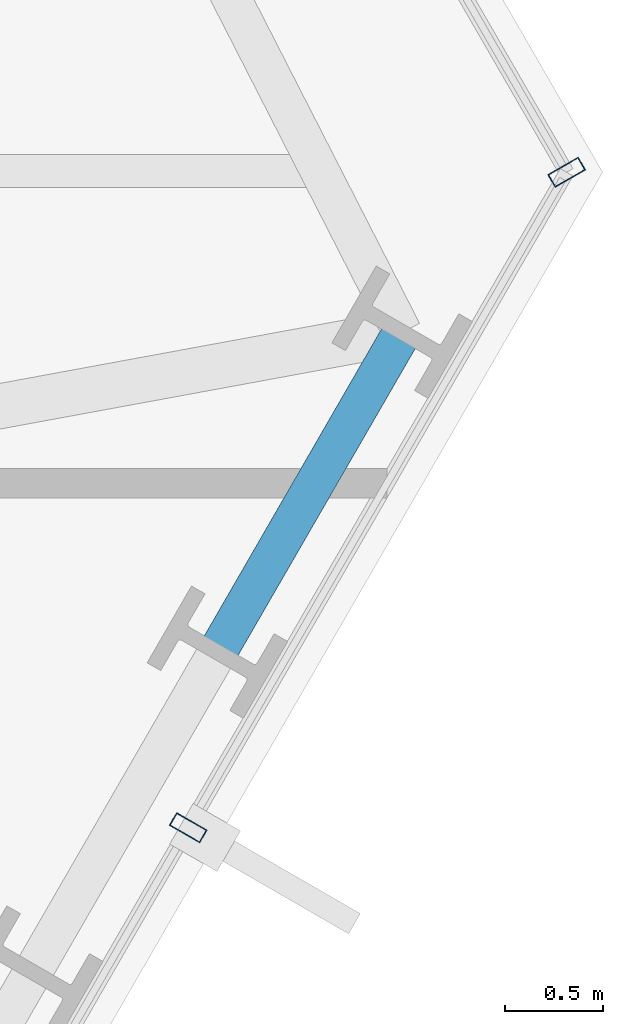
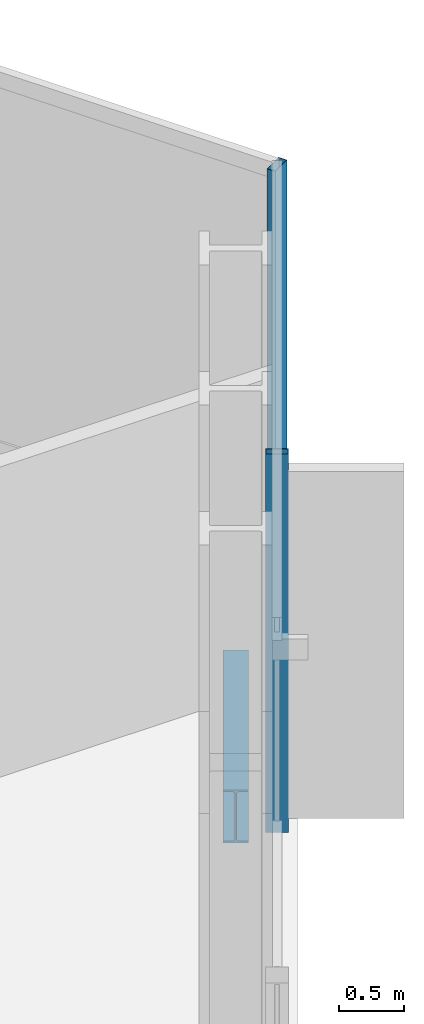
# One storey, part 17 of 32: 2 members, 1 beam, 2 elements without a shape of their own.
"""IFC4 building model written with IfcOpenShell, lengths in metres."""

from ifc_helpers import new_model, si_unit, direction, frame, origin, origin_2d, place, context, subcontext, project, spatial, hollow_rectangle, i_section, extrude, material, layer, layer_set, material_profile, profile_set, type_object, element, aggregate, save


model = new_model("IFC4")

# Units and contexts
model_context = context("Model", 3, precision=1e-05, world=origin(), true_north=direction((0.0, 1.0)))
body_context = subcontext(model_context, "Body", "Model", "MODEL_VIEW")
ifc_project = project(units=[si_unit("LENGTHUNIT", "METRE"), si_unit("AREAUNIT", "SQUARE_METRE"), si_unit("VOLUMEUNIT", "CUBIC_METRE"), si_unit("PLANEANGLEUNIT", "RADIAN"), si_unit("MASSUNIT", "GRAM", prefix="KILO")], contexts=[model_context])

# Site, building, storey
site_placement = place(None, origin())
site = spatial("IfcSite", under=ifc_project, at=site_placement, CompositionType="ELEMENT")
building_placement = place(site_placement, origin())
building = spatial("IfcBuilding", under=site, at=building_placement, Name="Ndaravel Arena Tower", CompositionType="ELEMENT")
storey_placement = place(building_placement, frame((0.0, 0.0, 62.60009765625)))
storey = spatial("IfcBuildingStorey", under=building, at=storey_placement, Name="L13", CompositionType="ELEMENT", Elevation=62.60009765625)

# Beam
ifc_material_1 = material(Name="Steel S355", Category="steel")
ifc_material_profile_1 = material_profile(ifc_material_1, i_section(OverallWidth=0.199951171875, OverallDepth=0.5, WebThickness=0.01025390625, FlangeThickness=0.01611328125, FilletRadius=0.02099609375, at=origin_2d()), Name="IPE 500")
ifc_profile_set_1 = profile_set([ifc_material_profile_1], Name="Steel S355")
beam_type = type_object("IfcBeamType", Name="BM-SPAN-IPE500", PredefinedType="SPANDREL", material=ifc_profile_set_1)
beam_placement = place(storey_placement, frame((63.701904296875, 16.135009765625, -0.47021484375), z_axis=(0.50000898992, 0.86602021339, 0.0), x_axis=(-0.86602021339, 0.50000898992, 0.0)))
element("IfcBeam", 1, at=beam_placement, inside=storey, type_object=beam_type, Name="L13 Perimeter Spandrel Beam SP-08", PredefinedType="SPANDREL", context=body_context, shape_type="SweptSolid", body=[
    extrude(i_section(OverallWidth=0.199951171875, OverallDepth=0.5, WebThickness=0.01025390625, FlangeThickness=0.01611328125, FilletRadius=0.02099609375, at=origin_2d()), origin(), (0.0, 0.0, 1.0), 1.89306640625),
])

# Curtain wall, member
ifc_material_2 = material(Name="Aluminium", Category="aluminium")
ifc_layer_1 = layer(ifc_material_2, 0.179931640625)
ifc_layer_set_1 = layer_set([ifc_layer_1], Name="Aluminium")
curtain_wall_type_1 = type_object("IfcCurtainWallType", Name="CW-SYS-01", PredefinedType="NOTDEFINED", material=ifc_layer_set_1)
curtain_wall_1_placement = place(storey_placement, origin())
curtain_wall_1 = element("IfcCurtainWall", 2, at=curtain_wall_1_placement, inside=storey, type_object=curtain_wall_type_1, Name="L13 Faceted Crystal Curtain Wall CW-L13-E02", PredefinedType="NOTDEFINED")
ifc_material_3 = material(Name="Aluminium", Category="aluminium")
ifc_material_profile_2 = material_profile(ifc_material_3, hollow_rectangle(XDim=0.074951171875, YDim=0.179931640625, WallThickness=0.00390625, at=origin_2d()), Name="CW MULLION 75x180x4")
ifc_profile_set_2 = profile_set([ifc_material_profile_2], Name="Aluminium")
member_type = type_object("IfcMemberType", Name="MEM-CW-MUL180", PredefinedType="MULLION", material=ifc_profile_set_2)
member_1_placement = place(storey_placement, frame((63.552001953125, 15.2353515625, 0.0), z_axis=(0.0, 0.0, 1.0), x_axis=(0.5, 0.866025403784, 0.0)))
member_1 = element("IfcMember", 3, at=member_1_placement, type_object=member_type, Name="CW-L13-E02 Mullion 03", PredefinedType="MULLION", context=body_context, shape_type="SweptSolid", body=[
    extrude(hollow_rectangle(XDim=0.074951171875, YDim=0.179931640625, WallThickness=0.00390625, at=origin_2d()), origin(), (0.0, 0.0, 1.0), 3.579833984375),
])
aggregate(curtain_wall_1, [member_1])

ifc_material_4 = material(Name="Aluminium", Category="aluminium")
ifc_layer_2 = layer(ifc_material_4, 0.179931640625)
ifc_layer_set_2 = layer_set([ifc_layer_2], Name="Aluminium")
curtain_wall_type_2 = type_object("IfcCurtainWallType", Name="CW-SYS-03", PredefinedType="NOTDEFINED", material=ifc_layer_set_2)
curtain_wall_2_placement = place(storey_placement, origin())
curtain_wall_2 = element("IfcCurtainWall", 4, at=curtain_wall_2_placement, inside=storey, type_object=curtain_wall_type_2, Name="L13 Faceted Crystal Curtain Wall CW-L13-E03", PredefinedType="NOTDEFINED")
member_2_placement = place(storey_placement, frame((65.4912109375, 18.593994140625, 0.0), z_axis=(0.0, 0.0, 1.0), x_axis=(-0.5, 0.866025403784, 0.0)))
member_2 = element("IfcMember", 5, at=member_2_placement, type_object=member_type, Name="CW-L13-E03 Mullion 00", PredefinedType="MULLION", context=body_context, shape_type="SweptSolid", body=[
    extrude(hollow_rectangle(XDim=0.074951171875, YDim=0.179931640625, WallThickness=0.00390625, at=origin_2d()), origin(), (0.0, 0.0, 1.0), 3.579833984375),
])
aggregate(curtain_wall_2, [member_2])

save(model, "model.ifc")
